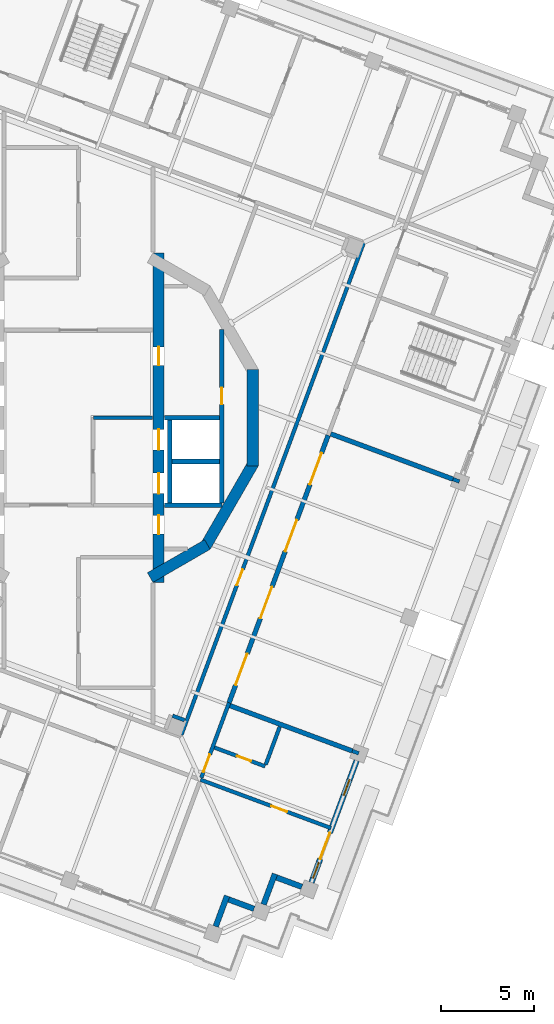
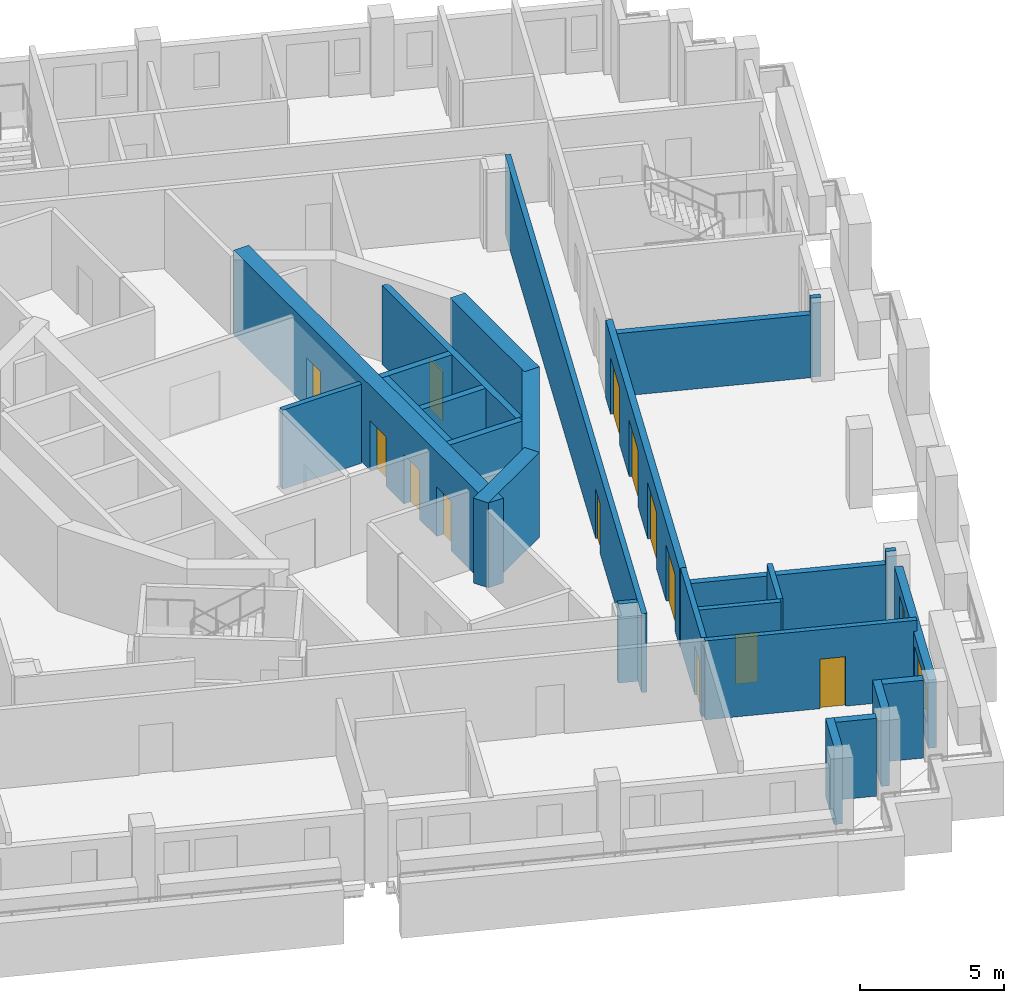
# One storey, part 6 of 19: 26 walls, 14 doors, 2 windows, 16 openings.
"""IFC4 building model written with IfcOpenShell, lengths in metres."""

from ifc_helpers import new_model, si_unit, direction, frame, frame_2d, origin, place, context, subcontext, project, spatial, rectangle, extrude, material, layer, layer_set, type_object, element, fill, save


model = new_model("IFC4")

# Units and contexts
model_context = context("Model", 3, precision=1e-05, world=origin(), true_north=direction((0.0, 1.0)))
body_context = subcontext(model_context, "Body", "Model", "MODEL_VIEW")
ifc_project = project(units=[si_unit("LENGTHUNIT", "METRE"), si_unit("AREAUNIT", "SQUARE_METRE"), si_unit("VOLUMEUNIT", "CUBIC_METRE"), si_unit("PLANEANGLEUNIT", "RADIAN"), si_unit("MASSUNIT", "GRAM", prefix="KILO")], contexts=[model_context])

# Site, building, storey
site_placement = place(None, origin())
site = spatial("IfcSite", under=ifc_project, at=site_placement, CompositionType="ELEMENT")
building_placement = place(site_placement, origin())
building = spatial("IfcBuilding", under=site, at=building_placement, Name="Cantera Rosa Tower", CompositionType="ELEMENT")
storey_placement = place(building_placement, frame((0.0, 0.0, 327.699951171875)))
storey = spatial("IfcBuildingStorey", under=building, at=storey_placement, Name="L73", CompositionType="ELEMENT", Elevation=327.699951171875)

# Wall, opening, door
ifc_material_1 = material(Name="Gypsum board partition")
ifc_layer_1 = layer(ifc_material_1, 0.199951171875)
ifc_layer_set_1 = layer_set([ifc_layer_1], Name="CORRIDOR WALL 200 H3350")
wall_type_1 = type_object("IfcWallType", Name="CORRIDOR WALL 200 H3350", PredefinedType="PARTITIONING", material=ifc_layer_set_1)
wall_1_placement = place(storey_placement, frame((5.526123046875, -17.031494140625, 0.0), z_axis=(0.0, 0.0, 1.0), x_axis=(0.347486069264, 0.937685145274, 0.0)))
wall_1 = element("IfcWall", 1, at=wall_1_placement, inside=storey, type_object=wall_type_1, Name="CORRIDOR WALL L73-085", PredefinedType="PARTITIONING", context=body_context, shape_type="SweptSolid", body=[
    extrude(rectangle(XDim=28.199951171875, YDim=0.199951171875, at=frame_2d((14.10009765625, 0.0))), origin(), (0.0, 0.0, 1.0), 3.35009765625),
])
opening_1_placement = place(wall_1_placement, frame((8.570068359375, 0.0, 0.0)))
opening_1 = element("IfcOpeningElement", 2, at=opening_1_placement, cuts=wall_1, Name="Opening L73-007", PredefinedType="OPENING", context=body_context, shape_type="SweptSolid", body=[
    extrude(rectangle(XDim=0.89990234375, YDim=2.10009765625, at=frame_2d((0.449951171875, 1.050048828125))), frame((0.0, 0.10986328125, 0.0), z_axis=(0.0, -1.0, 0.0), x_axis=(1.0, 0.0, 0.0)), (0.0, 0.0, 1.0), 0.219970703125),
])
ifc_material_2 = material(Name="Timber door leaf", Category="wood")
door_type_1 = type_object("IfcDoorType", Name="SERVICE DOOR 900x2100", OperationType="NOTDEFINED", PredefinedType="DOOR", material=ifc_material_2)
door_1_placement = place(opening_1_placement, origin())
door_1 = element("IfcDoor", 3, at=door_1_placement, inside=storey, type_object=door_type_1, Name="DOOR L73-007", OperationType="NOTDEFINED", OverallHeight=2.10009765625, OverallWidth=0.89990234375, PredefinedType="DOOR", context=body_context, shape_type="SweptSolid", body=[
    extrude(rectangle(XDim=0.89990234375, YDim=2.10009765625, at=frame_2d((0.449951171875, 1.050048828125))), frame((0.0, 0.02490234375, 0.0), z_axis=(0.0, -1.0, 0.0), x_axis=(1.0, 0.0, 0.0)), (0.0, 0.0, 1.0), 0.050048828125),
])
fill(opening_1, door_1)

wall_2_placement = place(storey_placement, frame((6.595458984375, -19.326171875, 0.0), z_axis=(0.0, 0.0, 1.0), x_axis=(0.347486922611, 0.937684829042, 0.0)))
wall_2 = element("IfcWall", 4, at=wall_2_placement, inside=storey, type_object=wall_type_1, Name="CORRIDOR WALL L73-090", PredefinedType="PARTITIONING", context=body_context, shape_type="SweptSolid", body=[
    extrude(rectangle(XDim=4.28515625, YDim=0.199951171875, at=frame_2d((2.142578125, 0.0))), origin(), (0.0, 0.0, 1.0), 3.35009765625),
])
opening_2_placement = place(wall_2_placement, frame((0.320068359375, 0.0, 0.0)))
opening_2 = element("IfcOpeningElement", 5, at=opening_2_placement, cuts=wall_2, Name="Opening L73-046", PredefinedType="OPENING", context=body_context, shape_type="SweptSolid", body=[
    extrude(rectangle(XDim=1.0, YDim=2.10009765625, at=frame_2d((0.5, 1.050048828125))), frame((0.0, 0.10986328125, 0.0), z_axis=(0.0, -1.0, 0.0), x_axis=(1.0, 0.0, 0.0)), (0.0, 0.0, 1.0), 0.219970703125),
])
ifc_material_3 = material(Name="Timber door leaf", Category="wood")
door_type_2 = type_object("IfcDoorType", Name="ENTRANCE DOOR 1000x2100", OperationType="NOTDEFINED", PredefinedType="DOOR", material=ifc_material_3)
door_2_placement = place(opening_2_placement, origin())
door_2 = element("IfcDoor", 6, at=door_2_placement, inside=storey, type_object=door_type_2, Name="DOOR L73-046", OperationType="NOTDEFINED", OverallHeight=2.10009765625, OverallWidth=1.0, PredefinedType="DOOR", context=body_context, shape_type="SweptSolid", body=[
    extrude(rectangle(XDim=1.0, YDim=2.10009765625, at=frame_2d((0.5, 1.050048828125))), frame((0.0, 0.02490234375, 0.0), z_axis=(0.0, -1.0, 0.0), x_axis=(1.0, 0.0, 0.0)), (0.0, 0.0, 1.0), 0.050048828125),
])
fill(opening_2, door_2)

# Walls
ifc_material_4 = material(Name="Hollow clay masonry with cantera stone cladding", Category="masonry")
ifc_layer_2 = layer(ifc_material_4, 0.300048828125)
ifc_layer_set_2 = layer_set([ifc_layer_2], Name="EW-LOGGIA 300")
wall_type_2 = type_object("IfcWallType", Name="EW-LOGGIA 300", PredefinedType="SOLIDWALL", material=ifc_layer_set_2)
wall_3_placement = place(storey_placement, frame((7.36865234375, -27.312255859375, 0.0), z_axis=(0.0, 0.0, 1.0), x_axis=(0.34752790836, 0.937669639538, 0.0)))
element("IfcWall", 7, at=wall_3_placement, inside=storey, type_object=wall_type_2, Name="EN-L73-W18a", PredefinedType="SOLIDWALL", context=body_context, shape_type="SweptSolid", body=[
    extrude(rectangle(XDim=1.75, YDim=0.300048828125, at=frame_2d((0.875, 0.0))), origin(), (0.0, 0.0, 1.0), 3.300048828125),
])
wall_4_placement = place(storey_placement, frame((8.065185546875, -25.8642578125, 0.0), z_axis=(0.0, 0.0, 1.0), x_axis=(0.937671557958, -0.347522732201, 0.0)))
element("IfcWall", 8, at=wall_4_placement, inside=storey, type_object=wall_type_2, Name="EN-L73-W18b", PredefinedType="SOLIDWALL", context=body_context, shape_type="SweptSolid", body=[
    extrude(rectangle(XDim=1.449951171875, YDim=0.300048828125, at=frame_2d((0.72509765625, 0.0))), origin(), (0.0, 0.0, 1.0), 3.300048828125),
])
wall_5_placement = place(storey_placement, frame((9.93896484375, -26.132080078125, 0.0), z_axis=(0.0, 0.0, 1.0), x_axis=(0.34748245117, 0.937686486054, 0.0)))
element("IfcWall", 9, at=wall_5_placement, inside=storey, type_object=wall_type_2, Name="EN-L73-W19a", PredefinedType="SOLIDWALL", context=body_context, shape_type="SweptSolid", body=[
    extrude(rectangle(XDim=1.750244140625, YDim=0.300048828125, at=frame_2d((0.875, 0.0))), origin(), (0.0, 0.0, 1.0), 3.300048828125),
])
wall_6_placement = place(storey_placement, frame((10.635498046875, -24.683837890625, 0.0), z_axis=(0.0, 0.0, 1.0), x_axis=(0.937671557958, -0.347522732201, 0.0)))
element("IfcWall", 10, at=wall_6_placement, inside=storey, type_object=wall_type_2, Name="EN-L73-W19b", PredefinedType="SOLIDWALL", context=body_context, shape_type="SweptSolid", body=[
    extrude(rectangle(XDim=1.449951171875, YDim=0.300048828125, at=frame_2d((0.72509765625, 0.0))), origin(), (0.0, 0.0, 1.0), 3.300048828125),
])

# Wall, openings, windows, door
ifc_material_5 = material(Name="Hollow clay masonry with cantera stone cladding", Category="masonry")
ifc_layer_3 = layer(ifc_material_5, 0.300048828125)
ifc_layer_set_3 = layer_set([ifc_layer_3], Name="EW-LOGGIA 300 H2890")
wall_type_3 = type_object("IfcWallType", Name="EW-LOGGIA 300 H2890", PredefinedType="SOLIDWALL", material=ifc_layer_set_3)
wall_7_placement = place(storey_placement, frame((12.50927734375, -24.95166015625, 0.0), z_axis=(0.0, 0.0, 1.0), x_axis=(0.347490919506, 0.937683347864, 0.0)))
wall_7 = element("IfcWall", 11, at=wall_7_placement, inside=storey, type_object=wall_type_3, Name="EN-L73-W20", PredefinedType="SOLIDWALL", context=body_context, shape_type="SweptSolid", body=[
    extrude(rectangle(XDim=6.980224609375, YDim=0.300048828125, at=frame_2d((3.490234375, 0.0))), origin(), (0.0, 0.0, 1.0), 2.89013671875),
])
opening_3_placement = place(wall_7_placement, frame((0.2451171875, 0.0, 0.89990234375)))
opening_3 = element("IfcOpeningElement", 12, at=opening_3_placement, cuts=wall_7, Name="Opening L73-W40", PredefinedType="OPENING", context=body_context, shape_type="SweptSolid", body=[
    extrude(rectangle(XDim=0.89990234375, YDim=1.5, at=frame_2d((0.449951171875, 0.75))), frame((0.0, 0.159912109375, 0.0), z_axis=(0.0, -1.0, 0.0), x_axis=(1.0, 0.0, 0.0)), (0.0, 0.0, 1.0), 0.320068359375),
])
opening_4_placement = place(wall_7_placement, frame((1.344970703125, 0.0, 0.0)))
opening_4 = element("IfcOpeningElement", 13, at=opening_4_placement, cuts=wall_7, Name="Opening L73-TD41", PredefinedType="OPENING", context=body_context, shape_type="SweptSolid", body=[
    extrude(rectangle(XDim=1.5, YDim=2.39990234375, at=frame_2d((0.75, 1.199951171875))), frame((0.0, 0.159912109375, 0.0), z_axis=(0.0, -1.0, 0.0), x_axis=(1.0, 0.0, 0.0)), (0.0, 0.0, 1.0), 0.320068359375),
])
opening_5_placement = place(wall_7_placement, frame((4.985107421875, 0.0, 0.89990234375)))
opening_5 = element("IfcOpeningElement", 14, at=opening_5_placement, cuts=wall_7, Name="Opening L73-W42", PredefinedType="OPENING", context=body_context, shape_type="SweptSolid", body=[
    extrude(rectangle(XDim=0.89990234375, YDim=1.5, at=frame_2d((0.449951171875, 0.75))), frame((0.0, 0.159912109375, 0.0), z_axis=(0.0, -1.0, 0.0), x_axis=(1.0, 0.0, 0.0)), (0.0, 0.0, 1.0), 0.320068359375),
])
ifc_material_6 = material(Name="Aluminium frame with clear glass", Category="aluminium")
window_type = type_object("IfcWindowType", Name="Residential window 900x1500", PartitioningType="SINGLE_PANEL", PredefinedType="WINDOW", material=ifc_material_6)
window_1_placement = place(opening_3_placement, origin())
window_1 = element("IfcWindow", 15, at=window_1_placement, inside=storey, type_object=window_type, Name="WINDOW L73-W40", OverallHeight=1.5, OverallWidth=0.89990234375, PartitioningType="SINGLE_PANEL", PredefinedType="WINDOW", context=body_context, shape_type="SweptSolid", body=[
    extrude(rectangle(XDim=0.89990234375, YDim=1.5, at=frame_2d((0.449951171875, 0.75))), frame((0.0, 0.030029296875, 0.0), z_axis=(0.0, -1.0, 0.0), x_axis=(1.0, 0.0, 0.0)), (0.0, 0.0, 1.0), 0.06005859375),
])
fill(opening_3, window_1)
window_2_placement = place(opening_5_placement, origin())
window_2 = element("IfcWindow", 16, at=window_2_placement, inside=storey, type_object=window_type, Name="WINDOW L73-W42", OverallHeight=1.5, OverallWidth=0.89990234375, PartitioningType="SINGLE_PANEL", PredefinedType="WINDOW", context=body_context, shape_type="SweptSolid", body=[
    extrude(rectangle(XDim=0.89990234375, YDim=1.5, at=frame_2d((0.449951171875, 0.75))), frame((0.0, 0.030029296875, 0.0), z_axis=(0.0, -1.0, 0.0), x_axis=(1.0, 0.0, 0.0)), (0.0, 0.0, 1.0), 0.06005859375),
])
fill(opening_5, window_2)
ifc_material_7 = material(Name="Aluminium frame with clear glass", Category="aluminium")
door_type_3 = type_object("IfcDoorType", Name="TD-R 1500x2400", OperationType="NOTDEFINED", PredefinedType="DOOR", material=ifc_material_7)
door_3_placement = place(opening_4_placement, origin())
door_3 = element("IfcDoor", 17, at=door_3_placement, inside=storey, type_object=door_type_3, Name="LOGGIA DOOR L73-TD41", OperationType="SLIDING_TO_LEFT", OverallHeight=2.39990234375, OverallWidth=1.5, PredefinedType="DOOR", context=body_context, shape_type="SweptSolid", body=[
    extrude(rectangle(XDim=1.5, YDim=2.39990234375, at=frame_2d((0.75, 1.199951171875))), frame((0.0, 0.02490234375, 0.0), z_axis=(0.0, -1.0, 0.0), x_axis=(1.0, 0.0, 0.0)), (0.0, 0.0, 1.0), 0.050048828125),
])
fill(opening_4, door_3)

# Walls
ifc_material_8 = material(Name="Concrete C40/50", Category="concrete")
ifc_layer_4 = layer(ifc_material_8, 0.25)
ifc_layer_set_4 = layer_set([ifc_layer_4], Name="EW-POCKET CHEEK 250 H2670")
wall_type_4 = type_object("IfcWallType", Name="EW-POCKET CHEEK 250 H2670", PredefinedType="SOLIDWALL", material=ifc_layer_set_4)
wall_8_placement = place(storey_placement, frame((20.10546875, -3.302001953125, 0.0), z_axis=(0.0, 0.0, 1.0), x_axis=(-0.937685216413, 0.347485877297, 0.0)))
element("IfcWall", 18, at=wall_8_placement, inside=storey, type_object=wall_type_4, Name="POCKET CHEEK B L73", PredefinedType="SOLIDWALL", context=body_context, shape_type="SweptSolid", body=[
    extrude(rectangle(XDim=7.0, YDim=0.25, at=frame_2d((3.5, 0.0))), origin(), (0.0, 0.0, 1.0), 2.670166015625),
])
ifc_material_9 = material(Name="Concrete C40/50", Category="concrete")
ifc_layer_5 = layer(ifc_material_9, 0.25)
ifc_layer_set_5 = layer_set([ifc_layer_5], Name="EW-POCKET CHEEK 250 H2820")
wall_type_5 = type_object("IfcWallType", Name="EW-POCKET CHEEK 250 H2820", PredefinedType="SOLIDWALL", material=ifc_layer_set_5)
wall_9_placement = place(storey_placement, frame((14.69873046875, -17.892333984375, 0.0), z_axis=(0.0, 0.0, 1.0), x_axis=(-0.937689427556, 0.34747451338, 0.0)))
element("IfcWall", 19, at=wall_9_placement, inside=storey, type_object=wall_type_5, Name="POCKET CHEEK A L73", PredefinedType="SOLIDWALL", context=body_context, shape_type="SweptSolid", body=[
    extrude(rectangle(XDim=7.000244140625, YDim=0.25, at=frame_2d((3.5, 0.0))), origin(), (0.0, 0.0, 1.0), 2.820068359375),
])

# Wall, openings, doors
ifc_material_10 = material(Name="Hollow clay masonry with cantera stone cladding", Category="masonry")
ifc_layer_6 = layer(ifc_material_10, 0.25)
ifc_layer_set_6 = layer_set([ifc_layer_6], Name="EW-POCKET REAR 250")
wall_type_6 = type_object("IfcWallType", Name="EW-POCKET REAR 250", PredefinedType="SOLIDWALL", material=ifc_layer_set_6)
wall_10_placement = place(storey_placement, frame((8.08447265625, -15.30810546875, 0.0), z_axis=(0.0, 0.0, 1.0), x_axis=(0.347489376152, 0.937683919805, 0.0)))
wall_10 = element("IfcWall", 20, at=wall_10_placement, inside=storey, type_object=wall_type_6, Name="POCKET REAR L73", PredefinedType="SOLIDWALL", context=body_context, shape_type="SweptSolid", body=[
    extrude(rectangle(XDim=15.31005859375, YDim=0.25, at=frame_2d((7.655029296875, 0.0))), origin(), (0.0, 0.0, 1.0), 3.300048828125),
])
opening_6_placement = place(wall_10_placement, frame((1.013671875, 0.0, 0.0)))
opening_6 = element("IfcOpeningElement", 21, at=opening_6_placement, cuts=wall_10, Name="Opening L73-LT01", PredefinedType="OPENING", context=body_context, shape_type="SweptSolid", body=[
    extrude(rectangle(XDim=1.800048828125, YDim=2.39990234375, at=frame_2d((0.89990234375, 1.199951171875))), frame((0.0, 0.135009765625, 0.0), z_axis=(0.0, -1.0, 0.0), x_axis=(1.0, 0.0, 0.0)), (0.0, 0.0, 1.0), 0.27001953125),
])
opening_7_placement = place(wall_10_placement, frame((4.84130859375, 0.0, 0.0)))
opening_7 = element("IfcOpeningElement", 22, at=opening_7_placement, cuts=wall_10, Name="Opening L73-LT02", PredefinedType="OPENING", context=body_context, shape_type="SweptSolid", body=[
    extrude(rectangle(XDim=1.800048828125, YDim=2.39990234375, at=frame_2d((0.89990234375, 1.199951171875))), frame((0.0, 0.135009765625, 0.0), z_axis=(0.0, -1.0, 0.0), x_axis=(1.0, 0.0, 0.0)), (0.0, 0.0, 1.0), 0.27001953125),
])
opening_8_placement = place(wall_10_placement, frame((8.668701171875, 0.0, 0.0)))
opening_8 = element("IfcOpeningElement", 23, at=opening_8_placement, cuts=wall_10, Name="Opening L73-LT03", PredefinedType="OPENING", context=body_context, shape_type="SweptSolid", body=[
    extrude(rectangle(XDim=1.800048828125, YDim=2.39990234375, at=frame_2d((0.89990234375, 1.199951171875))), frame((0.0, 0.135009765625, 0.0), z_axis=(0.0, -1.0, 0.0), x_axis=(1.0, 0.0, 0.0)), (0.0, 0.0, 1.0), 0.27001953125),
])
opening_9_placement = place(wall_10_placement, frame((12.496337890625, 0.0, 0.0)))
opening_9 = element("IfcOpeningElement", 24, at=opening_9_placement, cuts=wall_10, Name="Opening L73-LT04", PredefinedType="OPENING", context=body_context, shape_type="SweptSolid", body=[
    extrude(rectangle(XDim=1.800048828125, YDim=2.39990234375, at=frame_2d((0.89990234375, 1.199951171875))), frame((0.0, 0.135009765625, 0.0), z_axis=(0.0, -1.0, 0.0), x_axis=(1.0, 0.0, 0.0)), (0.0, 0.0, 1.0), 0.27001953125),
])
ifc_material_11 = material(Name="Aluminium frame with clear glass", Category="aluminium")
door_type_4 = type_object("IfcDoorType", Name="TD-T 1800x2400", OperationType="NOTDEFINED", PredefinedType="DOOR", material=ifc_material_11)
door_4_placement = place(opening_6_placement, origin())
door_4 = element("IfcDoor", 25, at=door_4_placement, inside=storey, type_object=door_type_4, Name="TERRACE DOOR L73-LT01", OperationType="DOUBLE_DOOR_SINGLE_SWING", OverallHeight=2.39990234375, OverallWidth=1.800048828125, PredefinedType="DOOR", context=body_context, shape_type="SweptSolid", body=[
    extrude(rectangle(XDim=1.800048828125, YDim=2.39990234375, at=frame_2d((0.89990234375, 1.199951171875))), frame((0.0, 0.02490234375, 0.0), z_axis=(0.0, -1.0, 0.0), x_axis=(1.0, 0.0, 0.0)), (0.0, 0.0, 1.0), 0.050048828125),
])
fill(opening_6, door_4)
door_5_placement = place(opening_7_placement, origin())
door_5 = element("IfcDoor", 26, at=door_5_placement, inside=storey, type_object=door_type_4, Name="TERRACE DOOR L73-LT02", OperationType="DOUBLE_DOOR_SINGLE_SWING", OverallHeight=2.39990234375, OverallWidth=1.800048828125, PredefinedType="DOOR", context=body_context, shape_type="SweptSolid", body=[
    extrude(rectangle(XDim=1.800048828125, YDim=2.39990234375, at=frame_2d((0.89990234375, 1.199951171875))), frame((0.0, 0.02490234375, 0.0), z_axis=(0.0, -1.0, 0.0), x_axis=(1.0, 0.0, 0.0)), (0.0, 0.0, 1.0), 0.050048828125),
])
fill(opening_7, door_5)
door_6_placement = place(opening_8_placement, origin())
door_6 = element("IfcDoor", 27, at=door_6_placement, inside=storey, type_object=door_type_4, Name="TERRACE DOOR L73-LT03", OperationType="DOUBLE_DOOR_SINGLE_SWING", OverallHeight=2.39990234375, OverallWidth=1.800048828125, PredefinedType="DOOR", context=body_context, shape_type="SweptSolid", body=[
    extrude(rectangle(XDim=1.800048828125, YDim=2.39990234375, at=frame_2d((0.89990234375, 1.199951171875))), frame((0.0, 0.02490234375, 0.0), z_axis=(0.0, -1.0, 0.0), x_axis=(1.0, 0.0, 0.0)), (0.0, 0.0, 1.0), 0.050048828125),
])
fill(opening_8, door_6)
door_7_placement = place(opening_9_placement, origin())
door_7 = element("IfcDoor", 28, at=door_7_placement, inside=storey, type_object=door_type_4, Name="TERRACE DOOR L73-LT04", OperationType="DOUBLE_DOOR_SINGLE_SWING", OverallHeight=2.39990234375, OverallWidth=1.800048828125, PredefinedType="DOOR", context=body_context, shape_type="SweptSolid", body=[
    extrude(rectangle(XDim=1.800048828125, YDim=2.39990234375, at=frame_2d((0.89990234375, 1.199951171875))), frame((0.0, 0.02490234375, 0.0), z_axis=(0.0, -1.0, 0.0), x_axis=(1.0, 0.0, 0.0)), (0.0, 0.0, 1.0), 0.050048828125),
])
fill(opening_9, door_7)

# Wall
ifc_material_12 = material(Name="Gypsum board partition")
ifc_layer_7 = layer(ifc_material_12, 0.199951171875)
ifc_layer_set_7 = layer_set([ifc_layer_7], Name="PARTITION 200 H3350")
wall_type_7 = type_object("IfcWallType", Name="PARTITION 200 H3350", PredefinedType="PARTITIONING", material=ifc_layer_set_7)
wall_11_placement = place(storey_placement, frame((5.691650390625, -16.23974609375, 0.0), z_axis=(0.0, 0.0, 1.0), x_axis=(-0.937679455874, 0.347501421626, 0.0)))
element("IfcWall", 29, at=wall_11_placement, inside=storey, type_object=wall_type_7, Name="PARTITION L73-086", PredefinedType="PARTITIONING", context=body_context, shape_type="SweptSolid", body=[
    extrude(rectangle(XDim=0.68017578125, YDim=0.199951171875, at=frame_2d((0.340087890625, 0.0))), origin(), (0.0, 0.0, 1.0), 3.35009765625),
])

# Wall, opening, door
wall_12_placement = place(storey_placement, frame((6.5537109375, -19.438720703125, 0.0), z_axis=(0.0, 0.0, 1.0), x_axis=(0.937698682222, -0.347449537859, 0.0)))
wall_12 = element("IfcWall", 30, at=wall_12_placement, inside=storey, type_object=wall_type_7, Name="PARTITION L73-089", PredefinedType="PARTITIONING", context=body_context, shape_type="SweptSolid", body=[
    extrude(rectangle(XDim=7.469970703125, YDim=0.199951171875, at=frame_2d((3.73486328125, 0.0))), origin(), (0.0, 0.0, 1.0), 3.35009765625),
])
opening_10_placement = place(wall_12_placement, frame((4.050048828125, 0.0, 0.0)))
opening_10 = element("IfcOpeningElement", 31, at=opening_10_placement, cuts=wall_12, Name="Opening L73-048", PredefinedType="OPENING", context=body_context, shape_type="SweptSolid", body=[
    extrude(rectangle(XDim=0.89990234375, YDim=2.10009765625, at=frame_2d((0.449951171875, 1.050048828125))), frame((0.0, 0.10986328125, 0.0), z_axis=(0.0, -1.0, 0.0), x_axis=(1.0, 0.0, 0.0)), (0.0, 0.0, 1.0), 0.219970703125),
])
ifc_material_13 = material(Name="Timber door leaf", Category="wood")
door_type_5 = type_object("IfcDoorType", Name="ROOM DOOR 900x2100", OperationType="NOTDEFINED", PredefinedType="DOOR", material=ifc_material_13)
door_8_placement = place(opening_10_placement, origin())
door_8 = element("IfcDoor", 32, at=door_8_placement, inside=storey, type_object=door_type_5, Name="DOOR L73-048", OperationType="NOTDEFINED", OverallHeight=2.10009765625, OverallWidth=0.89990234375, PredefinedType="DOOR", context=body_context, shape_type="SweptSolid", body=[
    extrude(rectangle(XDim=0.89990234375, YDim=2.10009765625, at=frame_2d((0.449951171875, 1.050048828125))), frame((0.0, 0.02490234375, 0.0), z_axis=(0.0, -1.0, 0.0), x_axis=(1.0, 0.0, 0.0)), (0.0, 0.0, 1.0), 0.050048828125),
])
fill(opening_10, door_8)

wall_13_placement = place(storey_placement, frame((10.020263671875, -18.71826171875, 0.0), z_axis=(0.0, 0.0, 1.0), x_axis=(-0.937681724156, 0.347495300953, 0.0)))
wall_13 = element("IfcWall", 33, at=wall_13_placement, inside=storey, type_object=wall_type_7, Name="PARTITION L73-098", PredefinedType="PARTITIONING", context=body_context, shape_type="SweptSolid", body=[
    extrude(rectangle(XDim=2.900146484375, YDim=0.199951171875, at=frame_2d((1.4501953125, 0.0))), origin(), (0.0, 0.0, 1.0), 3.35009765625),
])
opening_11_placement = place(wall_13_placement, frame((0.800048828125, 0.0, 0.0)))
opening_11 = element("IfcOpeningElement", 34, at=opening_11_placement, cuts=wall_13, Name="Opening L73-047", PredefinedType="OPENING", context=body_context, shape_type="SweptSolid", body=[
    extrude(rectangle(XDim=0.800048828125, YDim=2.10009765625, at=frame_2d((0.39990234375, 1.050048828125))), frame((0.0, 0.10986328125, 0.0), z_axis=(0.0, -1.0, 0.0), x_axis=(1.0, 0.0, 0.0)), (0.0, 0.0, 1.0), 0.219970703125),
])
ifc_material_14 = material(Name="Timber door leaf", Category="wood")
door_type_6 = type_object("IfcDoorType", Name="BATHROOM DOOR 800x2100", OperationType="NOTDEFINED", PredefinedType="DOOR", material=ifc_material_14)
door_9_placement = place(opening_11_placement, origin())
door_9 = element("IfcDoor", 35, at=door_9_placement, inside=storey, type_object=door_type_6, Name="DOOR L73-047", OperationType="NOTDEFINED", OverallHeight=2.10009765625, OverallWidth=0.800048828125, PredefinedType="DOOR", context=body_context, shape_type="SweptSolid", body=[
    extrude(rectangle(XDim=0.800048828125, YDim=2.10009765625, at=frame_2d((0.39990234375, 1.050048828125))), frame((0.0, 0.02490234375, 0.0), z_axis=(0.0, -1.0, 0.0), x_axis=(1.0, 0.0, 0.0)), (0.0, 0.0, 1.0), 0.050048828125),
])
fill(opening_11, door_9)

# Walls
wall_14_placement = place(storey_placement, frame((10.80712890625, -16.59423828125, 0.0), z_axis=(0.0, 0.0, 1.0), x_axis=(-0.347413511938, -0.937712030275, 0.0)))
element("IfcWall", 36, at=wall_14_placement, inside=storey, type_object=wall_type_7, Name="PARTITION L73-099", PredefinedType="PARTITIONING", context=body_context, shape_type="SweptSolid", body=[
    extrude(rectangle(XDim=2.1650390625, YDim=0.199951171875, at=frame_2d((1.08251953125, 0.0))), origin(), (0.0, 0.0, 1.0), 3.35009765625),
])
wall_15_placement = place(storey_placement, frame((20.452392578125, -3.4306640625, 0.0), z_axis=(0.0, 0.0, 1.0), x_axis=(-0.937597447594, 0.347722628348, 0.0)))
element("IfcWall", 37, at=wall_15_placement, inside=storey, type_object=wall_type_7, Name="PARTITION L73-113", PredefinedType="PARTITIONING", context=body_context, shape_type="SweptSolid", body=[
    extrude(rectangle(XDim=0.3701171875, YDim=0.199951171875, at=frame_2d((0.18505859375, 0.0))), origin(), (0.0, 0.0, 1.0), 3.35009765625),
])
ifc_material_15 = material(Name="Gypsum board partition")
ifc_layer_8 = layer(ifc_material_15, 0.199951171875)
ifc_layer_set_8 = layer_set([ifc_layer_8], Name="PARTY WALL 200 H3350")
wall_type_8 = type_object("IfcWallType", Name="PARTY WALL 200 H3350", PredefinedType="PARTITIONING", material=ifc_layer_set_8)
wall_16_placement = place(storey_placement, frame((14.698486328125, -17.892333984375, 0.0), z_axis=(0.0, 0.0, 1.0), x_axis=(0.937677152558, -0.347507636708, 0.0)))
element("IfcWall", 38, at=wall_16_placement, inside=storey, type_object=wall_type_8, Name="PARTY WALL L73-096", PredefinedType="PARTITIONING", context=body_context, shape_type="SweptSolid", body=[
    extrude(rectangle(XDim=0.370361328125, YDim=0.199951171875, at=frame_2d((0.18505859375, 0.0))), origin(), (0.0, 0.0, 1.0), 3.35009765625),
])
ifc_material_16 = material(Name="Concrete C50/60", Category="concrete")
ifc_layer_9 = layer(ifc_material_16, 0.60009765625)
ifc_layer_set_9 = layer_set([ifc_layer_9], Name="RC CORE WALL 600 C50/60")
wall_type_9 = type_object("IfcWallType", Name="RC CORE WALL 600 C50/60", PredefinedType="SHEAR", material=ifc_layer_set_9)
for number, where, z_axis, x_axis, name in (
    (39, (9.359375, 2.588134765625, 0.0), (0.0, 0.0, 1.0), (0.0, -1.0, 0.0), "CW-E3 L73"),
    (40, (9.3994140625, -2.438232421875, 0.0), (0.0, 0.0, 1.0), (-0.499989188378, -0.866031645787, 0.0), "CW-E4 L73"),
):
    element("IfcWall", number, at=place(storey_placement, frame(where, z_axis=z_axis, x_axis=x_axis)), inside=storey, type_object=wall_type_9, Name=name, PredefinedType="SHEAR", context=body_context, shape_type="SweptSolid", body=[
        extrude(rectangle(XDim=5.17626953125, YDim=0.60009765625, at=frame_2d((2.588134765625, 0.0))), origin(), (0.0, 0.0, 1.0), 3.60009765625),
    ])
wall_17_placement = place(storey_placement, frame((6.921142578125, -6.811279296875, 0.0), z_axis=(0.0, 0.0, 1.0), x_axis=(-0.866039982607, -0.499974747889, 0.0)))
element("IfcWall", 41, at=wall_17_placement, inside=storey, type_object=wall_type_9, Name="CW-E5 L73", PredefinedType="SHEAR", context=body_context, shape_type="SweptSolid", body=[
    extrude(rectangle(XDim=3.546142578125, YDim=0.60009765625, at=frame_2d((1.77294921875, 0.0))), origin(), (0.0, 0.0, 1.0), 3.60009765625),
])

# Wall, openings, doors
wall_18_placement = place(storey_placement, frame((4.300048828125, -8.84423828125, 0.0), z_axis=(0.0, 0.0, 1.0), x_axis=(0.0, 1.0, 0.0)))
wall_18 = element("IfcWall", 42, at=wall_18_placement, inside=storey, type_object=wall_type_9, Name="CW-E6 L73", PredefinedType="SHEAR", context=body_context, shape_type="SweptSolid", body=[
    extrude(rectangle(XDim=17.6884765625, YDim=0.60009765625, at=frame_2d((8.84423828125, 0.0))), origin(), (0.0, 0.0, 1.0), 3.60009765625),
])
opening_12_placement = place(wall_18_placement, frame((4.76904296875, 0.0, 0.0)))
opening_12 = element("IfcOpeningElement", 43, at=opening_12_placement, cuts=wall_18, Name="Opening LD-FF1-L73", PredefinedType="OPENING", context=body_context, shape_type="SweptSolid", body=[
    extrude(rectangle(XDim=1.10009765625, YDim=2.10009765625, at=frame_2d((0.550048828125, 1.050048828125))), frame((0.0, 0.31005859375, 0.0), z_axis=(0.0, -1.0, 0.0), x_axis=(1.0, 0.0, 0.0)), (0.0, 0.0, 1.0), 0.6201171875),
])
opening_13_placement = place(wall_18_placement, frame((7.119140625, 0.0, 0.0)))
opening_13 = element("IfcOpeningElement", 44, at=opening_13_placement, cuts=wall_18, Name="Opening LD-FF2-L73", PredefinedType="OPENING", context=body_context, shape_type="SweptSolid", body=[
    extrude(rectangle(XDim=1.10009765625, YDim=2.10009765625, at=frame_2d((0.550048828125, 1.050048828125))), frame((0.0, 0.31005859375, 0.0), z_axis=(0.0, -1.0, 0.0), x_axis=(1.0, 0.0, 0.0)), (0.0, 0.0, 1.0), 0.6201171875),
])
opening_14_placement = place(wall_18_placement, frame((2.5966796875, 0.0, 0.0)))
opening_14 = element("IfcOpeningElement", 45, at=opening_14_placement, cuts=wall_18, Name="Opening SD-L73-19", PredefinedType="OPENING", context=body_context, shape_type="SweptSolid", body=[
    extrude(rectangle(XDim=1.0, YDim=2.10009765625, at=frame_2d((0.5, 1.050048828125))), frame((0.0, 0.31005859375, 0.0), z_axis=(0.0, -1.0, 0.0), x_axis=(1.0, 0.0, 0.0)), (0.0, 0.0, 1.0), 0.6201171875),
])
opening_15_placement = place(wall_18_placement, frame((11.6494140625, 0.0, 0.0)))
opening_15 = element("IfcOpeningElement", 46, at=opening_15_placement, cuts=wall_18, Name="Opening SD-L73-20", PredefinedType="OPENING", context=body_context, shape_type="SweptSolid", body=[
    extrude(rectangle(XDim=1.0, YDim=2.10009765625, at=frame_2d((0.5, 1.050048828125))), frame((0.0, 0.31005859375, 0.0), z_axis=(0.0, -1.0, 0.0), x_axis=(1.0, 0.0, 0.0)), (0.0, 0.0, 1.0), 0.6201171875),
])
ifc_material_17 = material(Name="Steel S355J2 (EN 10025-2)", Category="steel")
door_type_7 = type_object("IfcDoorType", Name="LANDING DOOR 1100x2100", OperationType="NOTDEFINED", PredefinedType="DOOR", material=ifc_material_17)
door_10_placement = place(opening_12_placement, origin())
door_10 = element("IfcDoor", 47, at=door_10_placement, inside=storey, type_object=door_type_7, Name="LANDING DOOR FF1 L73", OperationType="SLIDING_TO_LEFT", OverallHeight=2.10009765625, OverallWidth=1.10009765625, PredefinedType="DOOR", context=body_context, shape_type="SweptSolid", body=[
    extrude(rectangle(XDim=1.10009765625, YDim=2.10009765625, at=frame_2d((0.550048828125, 1.050048828125))), frame((0.0, 0.02490234375, 0.0), z_axis=(0.0, -1.0, 0.0), x_axis=(1.0, 0.0, 0.0)), (0.0, 0.0, 1.0), 0.050048828125),
])
fill(opening_12, door_10)
door_11_placement = place(opening_13_placement, origin())
door_11 = element("IfcDoor", 48, at=door_11_placement, inside=storey, type_object=door_type_7, Name="LANDING DOOR FF2 L73", OperationType="SLIDING_TO_LEFT", OverallHeight=2.10009765625, OverallWidth=1.10009765625, PredefinedType="DOOR", context=body_context, shape_type="SweptSolid", body=[
    extrude(rectangle(XDim=1.10009765625, YDim=2.10009765625, at=frame_2d((0.550048828125, 1.050048828125))), frame((0.0, 0.02490234375, 0.0), z_axis=(0.0, -1.0, 0.0), x_axis=(1.0, 0.0, 0.0)), (0.0, 0.0, 1.0), 0.050048828125),
])
fill(opening_13, door_11)
ifc_material_18 = material(Name="Timber door leaf", Category="wood")
door_type_8 = type_object("IfcDoorType", Name="SERVICE DOOR 1000x2100", OperationType="NOTDEFINED", PredefinedType="DOOR", material=ifc_material_18)
door_12_placement = place(opening_14_placement, origin())
door_12 = element("IfcDoor", 49, at=door_12_placement, inside=storey, type_object=door_type_8, Name="DOOR L73-SD19", OperationType="NOTDEFINED", OverallHeight=2.10009765625, OverallWidth=1.0, PredefinedType="DOOR", context=body_context, shape_type="SweptSolid", body=[
    extrude(rectangle(XDim=1.0, YDim=2.10009765625, at=frame_2d((0.5, 1.050048828125))), frame((0.0, 0.02490234375, 0.0), z_axis=(0.0, -1.0, 0.0), x_axis=(1.0, 0.0, 0.0)), (0.0, 0.0, 1.0), 0.050048828125),
])
fill(opening_14, door_12)
door_13_placement = place(opening_15_placement, origin())
door_13 = element("IfcDoor", 50, at=door_13_placement, inside=storey, type_object=door_type_8, Name="DOOR L73-SD20", OperationType="NOTDEFINED", OverallHeight=2.10009765625, OverallWidth=1.0, PredefinedType="DOOR", context=body_context, shape_type="SweptSolid", body=[
    extrude(rectangle(XDim=1.0, YDim=2.10009765625, at=frame_2d((0.5, 1.050048828125))), frame((0.0, 0.02490234375, 0.0), z_axis=(0.0, -1.0, 0.0), x_axis=(1.0, 0.0, 0.0)), (0.0, 0.0, 1.0), 0.050048828125),
])
fill(opening_15, door_13)

# Walls
ifc_material_19 = material(Name="Masonry blockwork", Category="masonry")
ifc_layer_10 = layer(ifc_material_19, 0.25)
ifc_layer_set_10 = layer_set([ifc_layer_10], Name="SHAFT WALL 250 H3350")
wall_type_10 = type_object("IfcWallType", Name="SHAFT WALL 250 H3350", PredefinedType="SOLIDWALL", material=ifc_layer_set_10)
wall_19_placement = place(storey_placement, frame((4.6298828125, 0.0, 0.0), z_axis=(0.0, 0.0, 1.0), x_axis=(1.0, 0.0, 0.0)))
element("IfcWall", 51, at=wall_19_placement, inside=storey, type_object=wall_type_10, Name="SHAFT WALL L73-081", PredefinedType="SOLIDWALL", context=body_context, shape_type="SweptSolid", body=[
    extrude(rectangle(XDim=2.945068359375, YDim=0.25, at=frame_2d((1.47265625, 0.0))), origin(), (0.0, 0.0, 1.0), 3.35009765625),
])
wall_20_placement = place(storey_placement, frame((4.89990234375, -0.125, 0.0), z_axis=(0.0, 0.0, 1.0), x_axis=(0.0, -1.0, 0.0)))
element("IfcWall", 52, at=wall_20_placement, inside=storey, type_object=wall_type_10, Name="SHAFT WALL L73-083", PredefinedType="SOLIDWALL", context=body_context, shape_type="SweptSolid", body=[
    extrude(rectangle(XDim=4.449951171875, YDim=0.25, at=frame_2d((2.22509765625, 0.0))), origin(), (0.0, 0.0, 1.0), 3.35009765625),
])
wall_21_placement = place(storey_placement, frame((7.699951171875, -4.699951171875, 0.0), z_axis=(0.0, 0.0, 1.0), x_axis=(-1.0, 0.0, 0.0)))
element("IfcWall", 53, at=wall_21_placement, inside=storey, type_object=wall_type_10, Name="SHAFT WALL L73-093", PredefinedType="SOLIDWALL", context=body_context, shape_type="SweptSolid", body=[
    extrude(rectangle(XDim=3.070068359375, YDim=0.25, at=frame_2d((1.53515625, 0.0))), origin(), (0.0, 0.0, 1.0), 3.35009765625),
])

# Wall, opening, door
wall_22_placement = place(storey_placement, frame((7.699951171875, -4.580078125, 0.0), z_axis=(0.0, 0.0, 1.0), x_axis=(0.0, 1.0, 0.0)))
wall_22 = element("IfcWall", 54, at=wall_22_placement, inside=storey, type_object=wall_type_10, Name="SHAFT WALL L73-094", PredefinedType="SOLIDWALL", context=body_context, shape_type="SweptSolid", body=[
    extrude(rectangle(XDim=9.3017578125, YDim=0.25, at=frame_2d((4.65087890625, 0.0))), origin(), (0.0, 0.0, 1.0), 3.35009765625),
])
opening_16_placement = place(wall_22_placement, frame((5.2900390625, 0.0, 0.0)))
opening_16 = element("IfcOpeningElement", 55, at=opening_16_placement, cuts=wall_22, Name="Opening L73-054", PredefinedType="OPENING", context=body_context, shape_type="SweptSolid", body=[
    extrude(rectangle(XDim=0.89990234375, YDim=2.10009765625, at=frame_2d((0.449951171875, 1.050048828125))), frame((0.0, 0.135009765625, 0.0), z_axis=(0.0, -1.0, 0.0), x_axis=(1.0, 0.0, 0.0)), (0.0, 0.0, 1.0), 0.27001953125),
])
door_14_placement = place(opening_16_placement, origin())
door_14 = element("IfcDoor", 56, at=door_14_placement, inside=storey, type_object=door_type_1, Name="RISER DOOR L73-054", OperationType="NOTDEFINED", OverallHeight=2.10009765625, OverallWidth=0.89990234375, PredefinedType="DOOR", context=body_context, shape_type="SweptSolid", body=[
    extrude(rectangle(XDim=0.89990234375, YDim=2.10009765625, at=frame_2d((0.449951171875, 1.050048828125))), frame((0.0, 0.02490234375, 0.0), z_axis=(0.0, -1.0, 0.0), x_axis=(1.0, 0.0, 0.0)), (0.0, 0.0, 1.0), 0.050048828125),
])
fill(opening_16, door_14)

# Walls
wall_23_placement = place(storey_placement, frame((7.574951171875, -2.35009765625, 0.0), z_axis=(0.0, 0.0, 1.0), x_axis=(-1.0, 0.0, 0.0)))
element("IfcWall", 57, at=wall_23_placement, inside=storey, type_object=wall_type_10, Name="SHAFT WALL L73-095", PredefinedType="SOLIDWALL", context=body_context, shape_type="SweptSolid", body=[
    extrude(rectangle(XDim=2.554931640625, YDim=0.25, at=frame_2d((1.27734375, 0.0))), origin(), (0.0, 0.0, 1.0), 3.35009765625),
])
ifc_material_20 = material(Name="Concrete C50/60", Category="concrete")
ifc_layer_11 = layer(ifc_material_20, 0.199951171875)
ifc_layer_set_11 = layer_set([ifc_layer_11], Name="STAIR WALL 200 H3350")
wall_type_11 = type_object("IfcWallType", Name="STAIR WALL 200 H3350", PredefinedType="SOLIDWALL", material=ifc_layer_set_11)
wall_24_placement = place(storey_placement, frame((0.800048828125, 0.0, 0.0), z_axis=(0.0, 0.0, 1.0), x_axis=(1.0, 0.0, 0.0)))
element("IfcWall", 58, at=wall_24_placement, inside=storey, type_object=wall_type_11, Name="STAIR WALL L73-071", PredefinedType="SOLIDWALL", context=body_context, shape_type="SweptSolid", body=[
    extrude(rectangle(XDim=3.169921875, YDim=0.199951171875, at=frame_2d((1.5849609375, 0.0))), origin(), (0.0, 0.0, 1.0), 3.35009765625),
])

save(model, "model.ifc")
